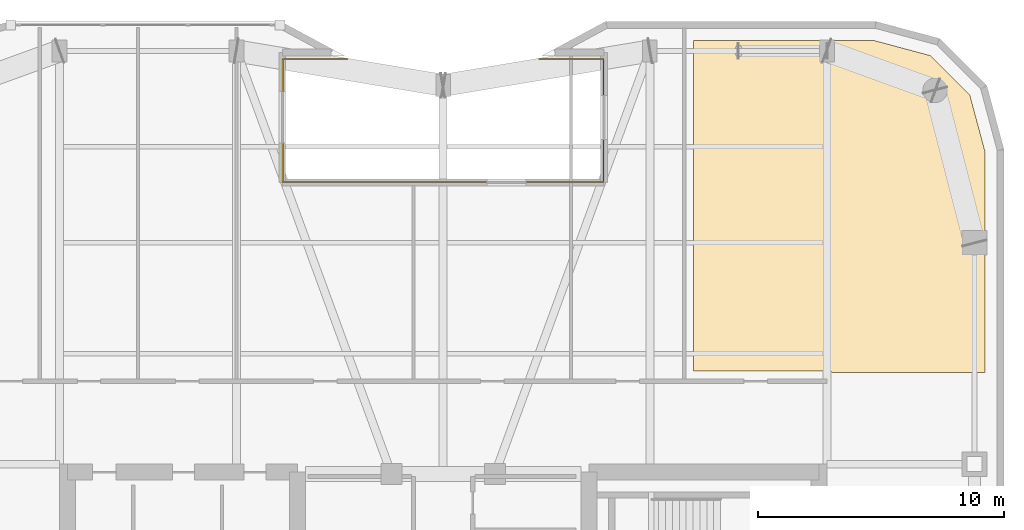
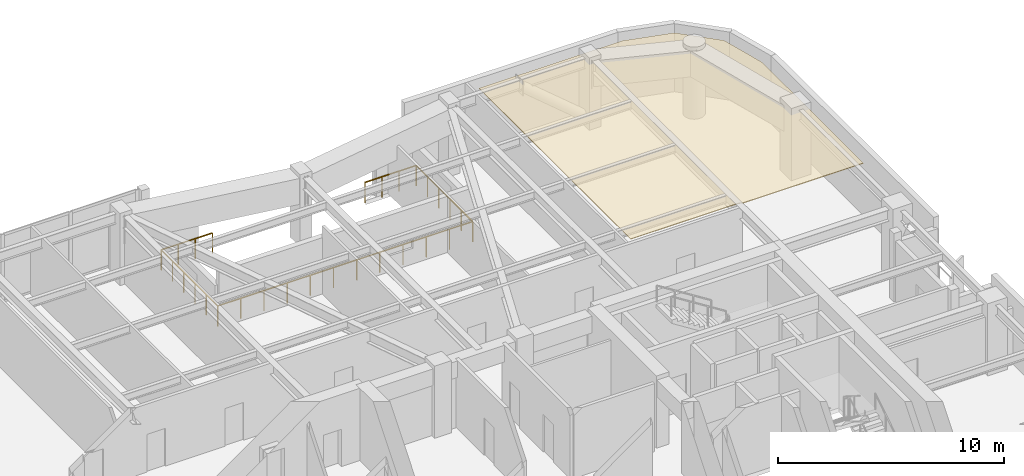
# One storey, part 22 of 22: 1 covering, 1 railing.
"""IFC4 building model written with IfcOpenShell, lengths in metres."""

from ifc_helpers import new_model, si_unit, direction, frame, origin, origin_2d, place, context, subcontext, project, spatial, polyline, rectangle, outline, extrude, material, layer, layer_set, type_object, element, save


model = new_model("IFC4")

# Units and contexts
model_context = context("Model", 3, precision=1e-05, world=origin(), true_north=direction((0.0, 1.0)))
body_context = subcontext(model_context, "Body", "Model", "MODEL_VIEW")
ifc_project = project(units=[si_unit("LENGTHUNIT", "METRE"), si_unit("AREAUNIT", "SQUARE_METRE"), si_unit("VOLUMEUNIT", "CUBIC_METRE"), si_unit("PLANEANGLEUNIT", "RADIAN"), si_unit("MASSUNIT", "GRAM", prefix="KILO")], contexts=[model_context])

# Site, building, storey
site_placement = place(None, origin())
site = spatial("IfcSite", under=ifc_project, at=site_placement, CompositionType="ELEMENT")
building_placement = place(site_placement, origin())
building = spatial("IfcBuilding", under=site, at=building_placement, Name="Kiyonajd Concourse Tower", CompositionType="ELEMENT")
storey_placement = place(building_placement, frame((0.0, 0.0, 243.300048828125)))
storey = spatial("IfcBuildingStorey", under=building, at=storey_placement, Name="L61", CompositionType="ELEMENT", Elevation=243.300048828125)

# Covering
ifc_material_1 = material(Name="Natural Oak Acoustic Timber Veneer", Category="wood")
ifc_layer = layer(ifc_material_1, 0.0400390625)
ifc_layer_set = layer_set([ifc_layer], Name="Natural Oak Acoustic Timber Veneer")
covering_type = type_object("IfcCoveringType", Name="CV-CLG-ACST", PredefinedType="CEILING", material=ifc_layer_set)
covering_placement = place(storey_placement, frame((0.0, 0.0, 3.5)))
element("IfcCovering", 1, at=covering_placement, inside=storey, type_object=covering_type, Name="L61-57 Room Acoustic Ceiling", PredefinedType="CEILING", context=body_context, shape_type="SweptSolid", body=[
    extrude(outline(polyline([(63.847900390625, 48.1201171875), (63.79296875, 48.154052734375), (63.72998046875, 48.179931640625), (63.60009765625, 48.199951171875), (58.169921875, 48.199951171875), (58.169921875, 61.6298828125), (65.4990234375, 61.6298828125), (67.802001953125, 61.011962890625), (69.412109375, 59.402099609375), (70.030029296875, 57.09912109375), (70.030029296875, 48.1201171875), (63.847900390625, 48.1201171875)])), origin(), (0.0, 0.0, 1.0), 0.0400390625),
])

# Railing
ifc_material_2 = material(Name="Thermally Broken Anodised Aluminium", Category="aluminium")
railing_type = type_object("IfcRailingType", Name="RL-BAL-1100", PredefinedType="BALUSTRADE", material=ifc_material_2)
railing_placement = place(storey_placement, frame((44.10009765625, 60.8798828125, 0.0)))
element("IfcRailing", 2, at=railing_placement, inside=storey, type_object=railing_type, Name="L61 North Oasis Sky Garden Upper Overlook Balustrade", PredefinedType="BALUSTRADE", context=body_context, shape_type="SweptSolid", body=[
    extrude(rectangle(XDim=0.048095703125, YDim=0.048095703125, at=origin_2d()), frame((0.0, 0.0, 1.09619140625), z_axis=(-1.0, 0.0, 0.0), x_axis=(0.0, -1.0, 0.0)), (0.0, 0.0, 1.0), 2.6201171875),
    extrude(rectangle(XDim=0.048095703125, YDim=0.048095703125, at=origin_2d()), frame((-2.6201171875, 0.0, 1.09619140625), z_axis=(0.0, -1.0, 0.0), x_axis=(1.0, 0.0, 0.0)), (0.0, 0.0, 1.0), 5.0),
    extrude(rectangle(XDim=0.048095703125, YDim=0.048095703125, at=origin_2d()), frame((-2.6201171875, -5.0, 1.09619140625), z_axis=(1.0, 0.0, 0.0), x_axis=(0.0, 1.0, 0.0)), (0.0, 0.0, 1.0), 13.0400390625),
    extrude(rectangle(XDim=0.048095703125, YDim=0.048095703125, at=origin_2d()), frame((10.419921875, -5.0, 1.09619140625), z_axis=(0.0, 1.0, 0.0), x_axis=(-1.0, 0.0, 0.0)), (0.0, 0.0, 1.0), 5.0),
    extrude(rectangle(XDim=0.048095703125, YDim=0.048095703125, at=origin_2d()), frame((10.419921875, 0.0, 1.09619140625), z_axis=(-1.0, 0.0, 0.0), x_axis=(0.0, -1.0, 0.0)), (0.0, 0.0, 1.0), 2.6201171875),
    extrude(rectangle(XDim=0.0419921875, YDim=0.0419921875, at=origin_2d()), origin(), (0.0, 0.0, 1.0), 1.072021484375),
    extrude(rectangle(XDim=0.0419921875, YDim=0.0419921875, at=origin_2d()), frame((-0.873291015625, 0.0, 0.0)), (0.0, 0.0, 1.0), 1.072021484375),
    extrude(rectangle(XDim=0.0419921875, YDim=0.0419921875, at=origin_2d()), frame((-1.746826171875, 0.0, 0.0)), (0.0, 0.0, 1.0), 1.072021484375),
    extrude(rectangle(XDim=0.0419921875, YDim=0.0419921875, at=origin_2d()), frame((-2.6201171875, 0.0, 0.0)), (0.0, 0.0, 1.0), 1.072021484375),
    extrude(rectangle(XDim=0.0419921875, YDim=0.0419921875, at=origin_2d()), frame((-2.6201171875, -1.0, 0.0)), (0.0, 0.0, 1.0), 1.072021484375),
    extrude(rectangle(XDim=0.0419921875, YDim=0.0419921875, at=origin_2d()), frame((-2.6201171875, -2.0, 0.0)), (0.0, 0.0, 1.0), 1.072021484375),
    extrude(rectangle(XDim=0.0419921875, YDim=0.0419921875, at=origin_2d()), frame((-2.6201171875, -3.0, 0.0)), (0.0, 0.0, 1.0), 1.072021484375),
    extrude(rectangle(XDim=0.0419921875, YDim=0.0419921875, at=origin_2d()), frame((-2.6201171875, -4.0, 0.0)), (0.0, 0.0, 1.0), 1.072021484375),
    extrude(rectangle(XDim=0.0419921875, YDim=0.0419921875, at=origin_2d()), frame((-2.6201171875, -5.0, 0.0)), (0.0, 0.0, 1.0), 1.072021484375),
    extrude(rectangle(XDim=0.0419921875, YDim=0.0419921875, at=origin_2d()), frame((-1.4345703125, -5.0, 0.0)), (0.0, 0.0, 1.0), 1.072021484375),
    extrude(rectangle(XDim=0.0419921875, YDim=0.0419921875, at=origin_2d()), frame((-0.249267578125, -5.0, 0.0)), (0.0, 0.0, 1.0), 1.072021484375),
    extrude(rectangle(XDim=0.0419921875, YDim=0.0419921875, at=origin_2d()), frame((0.936279296875, -5.0, 0.0)), (0.0, 0.0, 1.0), 1.072021484375),
    extrude(rectangle(XDim=0.0419921875, YDim=0.0419921875, at=origin_2d()), frame((2.121826171875, -5.0, 0.0)), (0.0, 0.0, 1.0), 1.072021484375),
    extrude(rectangle(XDim=0.0419921875, YDim=0.0419921875, at=origin_2d()), frame((3.30712890625, -5.0, 0.0)), (0.0, 0.0, 1.0), 1.072021484375),
    extrude(rectangle(XDim=0.0419921875, YDim=0.0419921875, at=origin_2d()), frame((4.49267578125, -5.0, 0.0)), (0.0, 0.0, 1.0), 1.072021484375),
    extrude(rectangle(XDim=0.0419921875, YDim=0.0419921875, at=origin_2d()), frame((5.677978515625, -5.0, 0.0)), (0.0, 0.0, 1.0), 1.072021484375),
    extrude(rectangle(XDim=0.0419921875, YDim=0.0419921875, at=origin_2d()), frame((6.863525390625, -5.0, 0.0)), (0.0, 0.0, 1.0), 1.072021484375),
    extrude(rectangle(XDim=0.0419921875, YDim=0.0419921875, at=origin_2d()), frame((8.049072265625, -5.0, 0.0)), (0.0, 0.0, 1.0), 1.072021484375),
    extrude(rectangle(XDim=0.0419921875, YDim=0.0419921875, at=origin_2d()), frame((9.234375, -5.0, 0.0)), (0.0, 0.0, 1.0), 1.072021484375),
    extrude(rectangle(XDim=0.0419921875, YDim=0.0419921875, at=origin_2d()), frame((10.419921875, -5.0, 0.0)), (0.0, 0.0, 1.0), 1.072021484375),
    extrude(rectangle(XDim=0.0419921875, YDim=0.0419921875, at=origin_2d()), frame((10.419921875, -4.0, 0.0)), (0.0, 0.0, 1.0), 1.072021484375),
    extrude(rectangle(XDim=0.0419921875, YDim=0.0419921875, at=origin_2d()), frame((10.419921875, -3.0, 0.0)), (0.0, 0.0, 1.0), 1.072021484375),
    extrude(rectangle(XDim=0.0419921875, YDim=0.0419921875, at=origin_2d()), frame((10.419921875, -2.0, 0.0)), (0.0, 0.0, 1.0), 1.072021484375),
    extrude(rectangle(XDim=0.0419921875, YDim=0.0419921875, at=origin_2d()), frame((10.419921875, -1.0, 0.0)), (0.0, 0.0, 1.0), 1.072021484375),
    extrude(rectangle(XDim=0.0419921875, YDim=0.0419921875, at=origin_2d()), frame((10.419921875, 0.0, 0.0)), (0.0, 0.0, 1.0), 1.072021484375),
    extrude(rectangle(XDim=0.0419921875, YDim=0.0419921875, at=origin_2d()), frame((9.546630859375, 0.0, 0.0)), (0.0, 0.0, 1.0), 1.072021484375),
    extrude(rectangle(XDim=0.0419921875, YDim=0.0419921875, at=origin_2d()), frame((8.673095703125, 0.0, 0.0)), (0.0, 0.0, 1.0), 1.072021484375),
    extrude(rectangle(XDim=0.0419921875, YDim=0.0419921875, at=origin_2d()), frame((7.7998046875, 0.0, 0.0)), (0.0, 0.0, 1.0), 1.072021484375),
])

save(model, "model.ifc")
